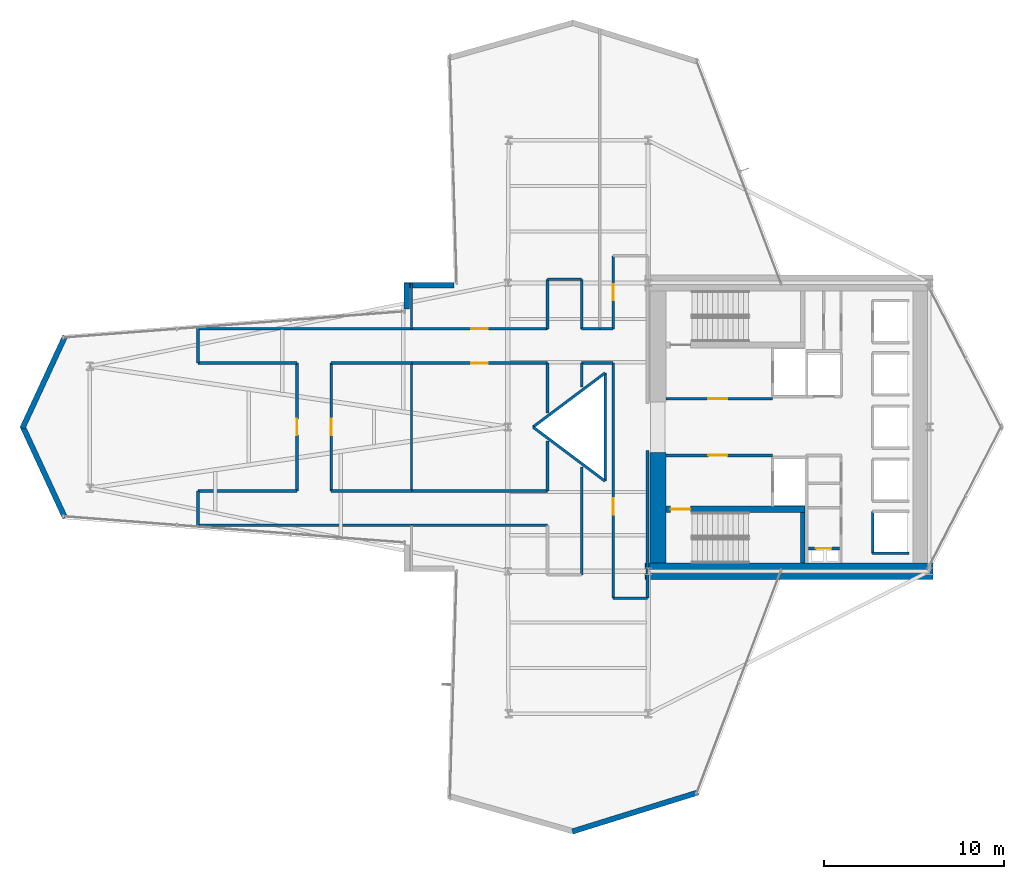
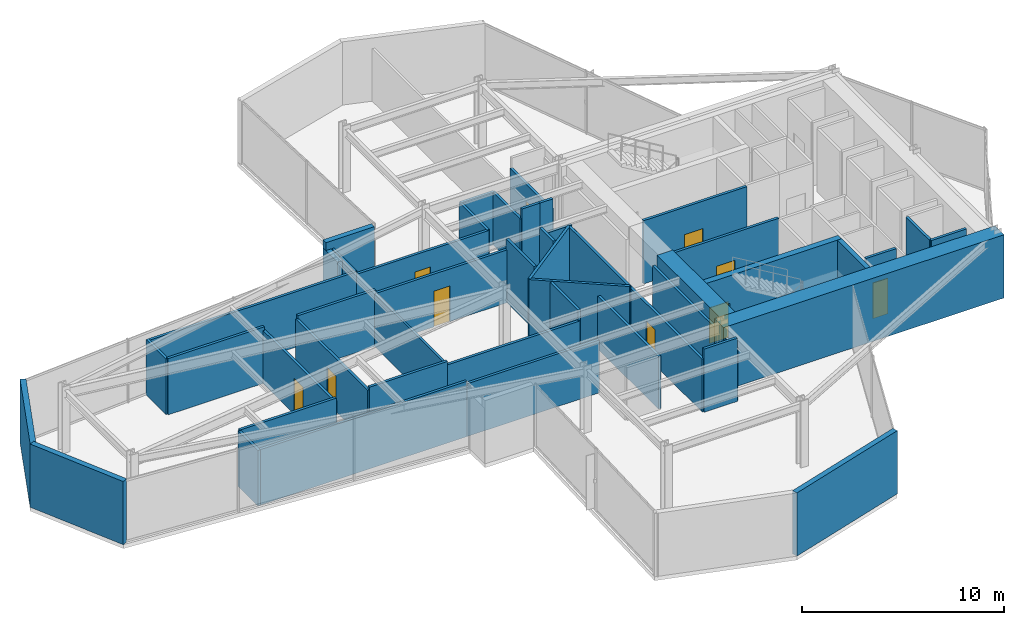
# One storey, part 26 of 29: 47 walls, 10 doors, 10 openings.
"""IFC4 building model written with IfcOpenShell, lengths in metres."""

import ifcopenshell
import ifcopenshell.guid

model = None  # the IFC model being written
_history = None  # IfcOwnerHistory: only IFC2X3 demands one
_inside = {}  # id of a spatial element -> (the spatial element, [elements in it])
_under = {}  # id of a project, library or spatial element -> (it, [spatial elements below it])
_declared = {}  # id of a project -> (the project, [libraries it declares])
_typed = {}  # id of a type object -> (the type object, [elements of that type])
_made_of = {}  # id of a material, layer set ... -> (it, [elements and type objects made of it])


def new_model(schema):
    """Start an empty IFC model of exactly this schema.

    Asked for "IFC4X3", IfcOpenShell would pick the latest addendum, in which some entities
    have other attributes; the version numbers below select the first issue.
    IFC2X3 requires an IfcOwnerHistory on every rooted entity: one is made here for all.
    """
    global model, _history
    if schema == "IFC4X3":
        model = ifcopenshell.file(schema_version=(4, 3, 0, 0))
    else:
        model = ifcopenshell.file(schema=schema)
    _inside.clear()
    _under.clear()
    _declared.clear()
    _typed.clear()
    _made_of.clear()
    _history = None
    if model.schema == "IFC2X3":
        org = make("IfcOrganization", Name="unknown")
        user = make(
            "IfcPersonAndOrganization",
            ThePerson=make("IfcPerson", FamilyName="unknown"),
            TheOrganization=org,
        )
        app = make(
            "IfcApplication",
            ApplicationDeveloper=org,
            Version="unknown",
            ApplicationFullName="unknown",
            ApplicationIdentifier="unknown",
        )
        _history = make(
            "IfcOwnerHistory",
            OwningUser=user,
            OwningApplication=app,
            ChangeAction="ADDED",
            CreationDate=0,
        )
    return model


def make(cls, **values):
    """One entity of the class cls with the attributes given. An attribute that is None is left unset."""
    return model.create_entity(
        cls, **{name: value for name, value in values.items() if value is not None}
    )


def rooted(cls, **values):
    """An entity with a GlobalId (a new one), such as an element, a storey or a relation."""
    return make(cls, GlobalId=ifcopenshell.guid.new(), OwnerHistory=_history, **values)


def si_unit(unit_type, name, prefix=None):
    """IfcSIUnit, for example si_unit("LENGTHUNIT", "METRE", prefix="MILLI")."""
    return make("IfcSIUnit", UnitType=unit_type, Prefix=prefix, Name=name)


def assignment(units):
    """IfcUnitAssignment: the units of a project."""
    return None if units is None else make("IfcUnitAssignment", Units=units)


def point(xyz):
    """IfcCartesianPoint."""
    return None if xyz is None else make("IfcCartesianPoint", Coordinates=xyz)


def direction(xyz):
    """IfcDirection."""
    return None if xyz is None else make("IfcDirection", DirectionRatios=xyz)


def frame(location, z_axis=None, x_axis=None):
    """IfcAxis2Placement3D, a coordinate frame: its origin and axes. An axis left out is left unset."""
    return make(
        "IfcAxis2Placement3D",
        Location=point(location),
        Axis=direction(z_axis),
        RefDirection=direction(x_axis),
    )


def frame_2d(location, x_axis=None):
    """IfcAxis2Placement2D, a coordinate frame in the plane: its origin and x axis."""
    return make(
        "IfcAxis2Placement2D", Location=point(location), RefDirection=direction(x_axis)
    )


def origin():
    """The frame at (0, 0, 0) with its axes left unset."""
    return frame((0.0, 0.0, 0.0))


def place(relative_to, where):
    """IfcLocalPlacement: puts the frame where relative to a parent placement (None: the world)."""
    return make(
        "IfcLocalPlacement", PlacementRelTo=relative_to, RelativePlacement=where
    )


def context(
    kind, dimensions, precision=None, world=None, true_north=None, identifier=None
):
    """IfcGeometricRepresentationContext, for example the 3D "Model" context."""
    return make(
        "IfcGeometricRepresentationContext",
        ContextIdentifier=identifier,
        ContextType=kind,
        CoordinateSpaceDimension=dimensions,
        Precision=precision,
        WorldCoordinateSystem=world,
        TrueNorth=true_north,
    )


def subcontext(parent, identifier, kind, view, scale=None):
    """IfcGeometricRepresentationSubContext, for example "Body" below "Model"."""
    return make(
        "IfcGeometricRepresentationSubContext",
        ContextIdentifier=identifier,
        ContextType=kind,
        ParentContext=parent,
        TargetScale=scale,
        TargetView=view,
    )


def project(units=None, contexts=None):
    """IfcProject with its units and contexts."""
    return rooted(
        "IfcProject",
        Name="project",
        RepresentationContexts=contexts,
        UnitsInContext=assignment(units),
    )


def spatial(cls, under=None, at=None, **own):
    """A site, building, storey or space (cls), placed at a placement, below another one or the project."""
    s = rooted(cls, ObjectPlacement=at, **own)
    if under is not None:
        _under.setdefault(under.id(), (under, []))[1].append(s)
    return s


def profile(cls, at=None, kind="AREA", **sizes):
    """A parametric profile (cls). Its sizes go by their IFC names, for example OverallWidth=200.0."""
    return make(cls, ProfileType=kind, Position=at, **sizes)


def rectangle(**sizes):
    """IfcRectangleProfileDef."""
    return profile("IfcRectangleProfileDef", **sizes)


def extrude(swept, where, along, depth):
    """IfcExtrudedAreaSolid: the profile swept, set in the frame where, extruded along a direction by depth."""
    return make(
        "IfcExtrudedAreaSolid",
        SweptArea=swept,
        Position=where,
        ExtrudedDirection=direction(along),
        Depth=depth,
    )


def shape(context_of_items, identifier, shape_type, items):
    """IfcShapeRepresentation: the items that make up one representation, for example the "Body"."""
    return make(
        "IfcShapeRepresentation",
        ContextOfItems=context_of_items,
        RepresentationIdentifier=identifier,
        RepresentationType=shape_type,
        Items=items,
    )


def material(Name=None, Category=None):
    """IfcMaterial."""
    return make("IfcMaterial", Name=Name, Category=Category)


def layer(
    of_material, thickness, ventilated=None, Name=None, Category=None, Priority=None
):
    """IfcMaterialLayer: one layer of a wall or slab, of a material (None: an air gap)."""
    return make(
        "IfcMaterialLayer",
        Material=of_material,
        LayerThickness=thickness,
        IsVentilated=ventilated,
        Name=Name,
        Category=Category,
        Priority=Priority,
    )


def layer_set(layers, Name=None):
    """IfcMaterialLayerSet."""
    return make("IfcMaterialLayerSet", MaterialLayers=layers, LayerSetName=Name)


def made_of(thing, what):
    """Note that an element or type object is made of a material, layer set ...; save() writes the relation."""
    if what is not None:
        _made_of.setdefault(what.id(), (what, []))[1].append(thing)
    return thing


def type_object(cls, material=None, **own):
    """A type object (cls), such as IfcWallType, which elements share."""
    return made_of(rooted(cls, **own), material)


def element(
    cls,
    number,
    at=None,
    inside=None,
    cuts=None,
    type_object=None,
    material=None,
    context=None,
    identifier="Body",
    shape_type=None,
    held_by="IfcProductDefinitionShape",
    body=None,
    shapes=None,
    **own,
):
    """One element of the class cls, such as IfcWall. Its Tag is "e" and its number.

    at: its placement. inside: the storey or other place that contains it. cuts: it is an
    opening in that element (IfcRelVoidsElement). A single representation is given by context,
    identifier, shape_type and body (its items); several are given by shapes. held_by: the class
    of the entity that holds the representations. save() writes the other relations.
    """
    e = rooted(cls, Tag="e%d" % number, ObjectPlacement=at, **own)
    if body is not None:
        shapes = [shape(context, identifier, shape_type, body)]
    if shapes is not None:
        e.Representation = make(held_by, Representations=shapes)
    if inside is not None:
        _inside.setdefault(inside.id(), (inside, []))[1].append(e)
    if cuts is not None:
        rooted(
            "IfcRelVoidsElement", RelatingBuildingElement=cuts, RelatedOpeningElement=e
        )
    if type_object is not None:
        _typed.setdefault(type_object.id(), (type_object, []))[1].append(e)
    return made_of(e, material)


def fill(opening, filler):
    """IfcRelFillsElement: the door or window that sits in an opening."""
    return rooted(
        "IfcRelFillsElement",
        RelatingOpeningElement=opening,
        RelatedBuildingElement=filler,
    )


def aggregate(whole, parts):
    """IfcRelAggregates: a whole, such as a stair, and the parts it consists of."""
    return rooted("IfcRelAggregates", RelatingObject=whole, RelatedObjects=parts)


def save(model, path):
    """Write the relations noted so far, then the file.

    IfcRelAggregates (storeys below a building ...), IfcRelContainedInSpatialStructure (elements
    in a storey), IfcRelDefinesByType, IfcRelAssociatesMaterial and IfcRelDeclares: one each for
    every whole, place, type object, material and project.
    """
    for whole, parts in _under.values():
        aggregate(whole, parts)
    for where, things in _inside.values():
        rooted(
            "IfcRelContainedInSpatialStructure",
            RelatedElements=things,
            RelatingStructure=where,
        )
    for kind, things in _typed.values():
        rooted("IfcRelDefinesByType", RelatedObjects=things, RelatingType=kind)
    for what, things in _made_of.values():
        rooted("IfcRelAssociatesMaterial", RelatedObjects=things, RelatingMaterial=what)
    for by, libraries in _declared.values():
        rooted("IfcRelDeclares", RelatingContext=by, RelatedDefinitions=libraries)
    model.write(path)


model = new_model("IFC4")

# Units and contexts
model_context = context("Model", 3, precision=1e-05, world=origin(), true_north=direction((0.0, 1.0)))
body_context = subcontext(model_context, "Body", "Model", "MODEL_VIEW")
ifc_project = project(units=[si_unit("LENGTHUNIT", "METRE"), si_unit("AREAUNIT", "SQUARE_METRE"), si_unit("VOLUMEUNIT", "CUBIC_METRE"), si_unit("PLANEANGLEUNIT", "RADIAN"), si_unit("MASSUNIT", "GRAM", prefix="KILO")], contexts=[model_context])

# Site, building, storey
site_placement = place(None, origin())
site = spatial("IfcSite", under=ifc_project, at=site_placement, CompositionType="ELEMENT")
building_placement = place(site_placement, origin())
building = spatial("IfcBuilding", under=site, at=building_placement, Name="Veymaron Broadcast Tower", CompositionType="ELEMENT")
storey_placement = place(building_placement, frame((0.0, 0.0, 41.85009765625)))
storey = spatial("IfcBuildingStorey", under=building, at=storey_placement, Name="L08", CompositionType="ELEMENT", Elevation=41.85009765625)

# Walls
ifc_material_1 = material(Name="Precast concrete C40/50 with mineral-wool insulation", Category="concrete")
ifc_layer_1 = layer(ifc_material_1, 0.300048828125)
ifc_layer_set_1 = layer_set([ifc_layer_1], Name="Precast concrete C40/50 with mineral-wool insulation")
wall_type_1 = type_object("IfcWallType", Name="WALL-EXT-300", PredefinedType="STANDARD", material=ifc_layer_set_1)
wall_1_placement = place(storey_placement, frame((28.22412109375, 31.860107421875, 0.0), z_axis=(0.0, 0.0, 1.0), x_axis=(-1.0, 0.0, 0.0)))
element("IfcWall", 1, at=wall_1_placement, inside=storey, type_object=wall_type_1, Name="L08 notched corner facade pier 9-1", PredefinedType="STANDARD", context=body_context, shape_type="SweptSolid", body=[
    extrude(rectangle(XDim=2.776123046875, YDim=0.300048828125, at=frame_2d((1.38818359375, 0.0))), origin(), (0.0, 0.0, 1.0), 3.809814453125),
])
wall_2_placement = place(storey_placement, frame((25.587890625, 32.0, 0.0), z_axis=(0.0, 0.0, 1.0), x_axis=(0.0, -1.0, 0.0)))
element("IfcWall", 2, at=wall_2_placement, inside=storey, type_object=wall_type_1, Name="L08 notched corner facade pier 10-1", PredefinedType="STANDARD", context=body_context, shape_type="SweptSolid", body=[
    extrude(rectangle(XDim=1.4482421875, YDim=0.300048828125, at=frame_2d((0.72412109375, 0.0))), origin(), (0.0, 0.0, 1.0), 3.337890625),
])
for number, where, z_axis, x_axis, name in (
    (3, (6.626953125, 29.037109375, 0.0), (0.0, 0.0, 1.0), (-0.420823983626, -0.907142312322, 0.0), "L08 notched corner facade pier 12-1"),
    (4, (4.262939453125, 24.058837890625, 0.0), (0.0, 0.0, 1.0), (0.420823983626, -0.907142312322, 0.0), "L08 notched corner facade pier 13-1"),
):
    element("IfcWall", number, at=place(storey_placement, frame(where, z_axis=z_axis, x_axis=x_axis)), inside=storey, type_object=wall_type_1, Name=name, PredefinedType="STANDARD", context=body_context, shape_type="SweptSolid", body=[
        extrude(rectangle(XDim=5.61767578125, YDim=0.300048828125, at=frame_2d((2.808837890625, 0.0))), origin(), (0.0, 0.0, 1.0), 3.809814453125),
    ])
wall_3_placement = place(storey_placement, frame((34.779541015625, 1.552734375, 0.0), z_axis=(0.0, 0.0, 1.0), x_axis=(0.954957033511, 0.296744105498, 0.0)))
element("IfcWall", 5, at=wall_3_placement, inside=storey, type_object=wall_type_1, Name="L08 notched corner facade pier 19-1", PredefinedType="STANDARD", context=body_context, shape_type="SweptSolid", body=[
    extrude(rectangle(XDim=7.302490234375, YDim=0.300048828125, at=frame_2d((3.6513671875, 0.0))), origin(), (0.0, 0.0, 1.0), 3.809814453125),
])

# Wall, opening, door
ifc_material_2 = material(Name="Gypsum fireboard and steel stud framing", Category="steel")
ifc_layer_2 = layer(ifc_material_2, 0.14990234375)
ifc_layer_set_2 = layer_set([ifc_layer_2], Name="Gypsum fireboard and steel stud framing")
wall_type_2 = type_object("IfcWallType", Name="WALL-FIRE-150", PredefinedType="PARTITIONING", material=ifc_layer_set_2)
wall_4_placement = place(storey_placement, frame((39.97998046875, 25.574951171875, 0.0), z_axis=(0.0, 0.0, 1.0), x_axis=(1.0, 0.0, 0.0)))
wall_4 = element("IfcWall", 6, at=wall_4_placement, inside=storey, type_object=wall_type_2, Name="L08 partition IW-L08-FFLN-S", PredefinedType="PARTITIONING", context=body_context, shape_type="SweptSolid", body=[
    extrude(rectangle(XDim=5.89990234375, YDim=0.14990234375, at=frame_2d((2.949951171875, 0.0))), origin(), (0.0, 0.0, 1.0), 3.809814453125),
])
opening_1_placement = place(wall_4_placement, frame((2.35009765625, 0.0, 0.0)))
opening_1 = element("IfcOpeningElement", 7, at=opening_1_placement, cuts=wall_4, Name="Opening ID-FL1", PredefinedType="OPENING", context=body_context, shape_type="SweptSolid", body=[
    extrude(rectangle(XDim=1.050048828125, YDim=2.14990234375, at=frame_2d((0.52490234375, 1.074951171875))), frame((0.0, 0.0849609375, 0.0), z_axis=(0.0, -1.0, 0.0), x_axis=(1.0, 0.0, 0.0)), (0.0, 0.0, 1.0), 0.169921875),
])
ifc_material_3 = material(Name="Fire-rated painted hollow steel ASTM A653", Category="steel")
door_type_1 = type_object("IfcDoorType", Name="DOOR-FIRE-1050", OperationType="NOTDEFINED", PredefinedType="DOOR", material=ifc_material_3)
door_1_placement = place(opening_1_placement, origin())
door_1 = element("IfcDoor", 8, at=door_1_placement, inside=storey, type_object=door_type_1, Name="L08 door DR-L08-FFLN", OperationType="SINGLE_SWING_LEFT", OverallHeight=2.14990234375, OverallWidth=1.050048828125, PredefinedType="DOOR", context=body_context, shape_type="SweptSolid", body=[
    extrude(rectangle(XDim=1.050048828125, YDim=2.14990234375, at=frame_2d((0.52490234375, 1.074951171875))), frame((0.0, 0.02490234375, 0.0), z_axis=(0.0, -1.0, 0.0), x_axis=(1.0, 0.0, 0.0)), (0.0, 0.0, 1.0), 0.050048828125),
])
fill(opening_1, door_1)

wall_5_placement = place(storey_placement, frame((39.97998046875, 22.425048828125, 0.0), z_axis=(0.0, 0.0, 1.0), x_axis=(1.0, 0.0, 0.0)))
wall_5 = element("IfcWall", 9, at=wall_5_placement, inside=storey, type_object=wall_type_2, Name="L08 partition IW-L08-FFLS-N", PredefinedType="PARTITIONING", context=body_context, shape_type="SweptSolid", body=[
    extrude(rectangle(XDim=5.89990234375, YDim=0.14990234375, at=frame_2d((2.949951171875, 0.0))), origin(), (0.0, 0.0, 1.0), 3.809814453125),
])
opening_2_placement = place(wall_5_placement, frame((2.35009765625, 0.0, 0.0)))
opening_2 = element("IfcOpeningElement", 10, at=opening_2_placement, cuts=wall_5, Name="Opening ID-FL1", PredefinedType="OPENING", context=body_context, shape_type="SweptSolid", body=[
    extrude(rectangle(XDim=1.050048828125, YDim=2.14990234375, at=frame_2d((0.52490234375, 1.074951171875))), frame((0.0, 0.0849609375, 0.0), z_axis=(0.0, -1.0, 0.0), x_axis=(1.0, 0.0, 0.0)), (0.0, 0.0, 1.0), 0.169921875),
])
door_2_placement = place(opening_2_placement, frame((1.050048828125, 0.0, 0.0), z_axis=(0.0, 0.0, 1.0), x_axis=(-1.0, 0.0, 0.0)))
door_2 = element("IfcDoor", 11, at=door_2_placement, inside=storey, type_object=door_type_1, Name="L08 door DR-L08-FFLS", OperationType="SINGLE_SWING_RIGHT", OverallHeight=2.14990234375, OverallWidth=1.050048828125, PredefinedType="DOOR", context=body_context, shape_type="SweptSolid", body=[
    extrude(rectangle(XDim=1.050048828125, YDim=2.14990234375, at=frame_2d((0.52490234375, 1.074951171875))), frame((0.0, 0.02490234375, 0.0), z_axis=(0.0, -1.0, 0.0), x_axis=(1.0, 0.0, 0.0)), (0.0, 0.0, 1.0), 0.050048828125),
])
fill(opening_2, door_2)

# Walls
wall_6_placement = place(storey_placement, frame((51.445068359375, 16.989990234375, 0.0), z_axis=(0.0, 0.0, 1.0), x_axis=(0.0, 1.0, 0.0)))
element("IfcWall", 12, at=wall_6_placement, inside=storey, type_object=wall_type_2, Name="L08 partition IW-L08-SHW-PH1", PredefinedType="PARTITIONING", context=body_context, shape_type="SweptSolid", body=[
    extrude(rectangle(XDim=2.320068359375, YDim=0.14990234375, at=frame_2d((1.16015625, 0.0))), origin(), (0.0, 0.0, 1.0), 3.809814453125),
])
wall_7_placement = place(storey_placement, frame((51.445068359375, 16.989990234375, 0.0), z_axis=(0.0, 0.0, 1.0), x_axis=(1.0, 0.0, 0.0)))
element("IfcWall", 13, at=wall_7_placement, inside=storey, type_object=wall_type_2, Name="L08 partition IW-L08-SHS-PH1", PredefinedType="PARTITIONING", context=body_context, shape_type="SweptSolid", body=[
    extrude(rectangle(XDim=2.014892578125, YDim=0.14990234375, at=frame_2d((1.00732421875, 0.0))), origin(), (0.0, 0.0, 1.0), 3.809814453125),
])

# Wall, opening, door
wall_8_placement = place(storey_placement, frame((47.8798828125, 17.260009765625, 0.0), z_axis=(0.0, 0.0, 1.0), x_axis=(1.0, 0.0, 0.0)))
wall_8 = element("IfcWall", 14, at=wall_8_placement, inside=storey, type_object=wall_type_2, Name="L08 partition IW-L08-RIS-N", PredefinedType="PARTITIONING", context=body_context, shape_type="SweptSolid", body=[
    extrude(rectangle(XDim=1.72021484375, YDim=0.14990234375, at=frame_2d((0.860107421875, 0.0))), origin(), (0.0, 0.0, 1.0), 3.809814453125),
])
opening_3_placement = place(wall_8_placement, frame((0.419921875, 0.0, 0.0)))
opening_3 = element("IfcOpeningElement", 15, at=opening_3_placement, cuts=wall_8, Name="Opening ID-RS1", PredefinedType="OPENING", context=body_context, shape_type="SweptSolid", body=[
    extrude(rectangle(XDim=0.85009765625, YDim=2.14990234375, at=frame_2d((0.425048828125, 1.074951171875))), frame((0.0, 0.0849609375, 0.0), z_axis=(0.0, -1.0, 0.0), x_axis=(1.0, 0.0, 0.0)), (0.0, 0.0, 1.0), 0.169921875),
])
ifc_material_4 = material(Name="Fire-rated powder-coated steel riser leaf", Category="steel")
door_type_2 = type_object("IfcDoorType", Name="DOOR-RIS-850", OperationType="NOTDEFINED", PredefinedType="TRAPDOOR", material=ifc_material_4)
door_3_placement = place(opening_3_placement, origin())
door_3 = element("IfcDoor", 16, at=door_3_placement, inside=storey, type_object=door_type_2, Name="L08 door DR-L08-RIS", OperationType="SINGLE_SWING_LEFT", OverallHeight=2.14990234375, OverallWidth=0.85009765625, PredefinedType="TRAPDOOR", context=body_context, shape_type="SweptSolid", body=[
    extrude(rectangle(XDim=0.85009765625, YDim=2.14990234375, at=frame_2d((0.425048828125, 1.074951171875))), frame((0.0, 0.02490234375, 0.0), z_axis=(0.0, -1.0, 0.0), x_axis=(1.0, 0.0, 0.0)), (0.0, 0.0, 1.0), 0.050048828125),
])
fill(opening_3, door_3)

wall_9_placement = place(storey_placement, frame((37.050048828125, 14.5, 0.0), z_axis=(0.0, 0.0, 1.0), x_axis=(0.0, 1.0, 0.0)))
wall_9 = element("IfcWall", 17, at=wall_9_placement, inside=storey, type_object=wall_type_2, Name="L08 partition IW-L08-P01", PredefinedType="PARTITIONING", context=body_context, shape_type="SweptSolid", body=[
    extrude(rectangle(XDim=13.050048828125, YDim=0.14990234375, at=frame_2d((6.52490234375, 0.0))), origin(), (0.0, 0.0, 1.0), 3.180908203125),
])
opening_4_placement = place(wall_9_placement, frame((4.635009765625, 0.0, 0.0)))
opening_4 = element("IfcOpeningElement", 18, at=opening_4_placement, cuts=wall_9, Name="Opening ID-RM2", PredefinedType="OPENING", context=body_context, shape_type="SweptSolid", body=[
    extrude(rectangle(XDim=0.89990234375, YDim=2.14990234375, at=frame_2d((0.449951171875, 1.074951171875))), frame((0.0, 0.0849609375, 0.0), z_axis=(0.0, -1.0, 0.0), x_axis=(1.0, 0.0, 0.0)), (0.0, 0.0, 1.0), 0.169921875),
])
ifc_material_5 = material(Name="Acoustic solid-core European oak veneer timber", Category="wood")
door_type_3 = type_object("IfcDoorType", Name="DOOR-INT-900", OperationType="NOTDEFINED", PredefinedType="DOOR", material=ifc_material_5)
door_4_placement = place(opening_4_placement, frame((0.89990234375, 0.0, 0.0), z_axis=(0.0, 0.0, 1.0), x_axis=(-1.0, 0.0, 0.0)))
door_4 = element("IfcDoor", 19, at=door_4_placement, inside=storey, type_object=door_type_3, Name="L08 door DR-L08-P01", OperationType="SINGLE_SWING_RIGHT", OverallHeight=2.14990234375, OverallWidth=0.89990234375, PredefinedType="DOOR", context=body_context, shape_type="SweptSolid", body=[
    extrude(rectangle(XDim=0.89990234375, YDim=2.14990234375, at=frame_2d((0.449951171875, 1.074951171875))), frame((0.0, 0.02490234375, 0.0), z_axis=(0.0, -1.0, 0.0), x_axis=(1.0, 0.0, 0.0)), (0.0, 0.0, 1.0), 0.050048828125),
])
fill(opening_4, door_4)

wall_10_placement = place(storey_placement, frame((19.5, 20.449951171875, 0.0), z_axis=(0.0, 0.0, 1.0), x_axis=(0.0, 1.0, 0.0)))
wall_10 = element("IfcWall", 20, at=wall_10_placement, inside=storey, type_object=wall_type_2, Name="L08 partition IW-L08-P12", PredefinedType="PARTITIONING", context=body_context, shape_type="SweptSolid", body=[
    extrude(rectangle(XDim=7.10009765625, YDim=0.14990234375, at=frame_2d((3.550048828125, 0.0))), origin(), (0.0, 0.0, 1.0), 3.180908203125),
])
opening_5_placement = place(wall_10_placement, frame((3.10009765625, 0.0, 0.0)))
opening_5 = element("IfcOpeningElement", 21, at=opening_5_placement, cuts=wall_10, Name="Opening ID-RM2", PredefinedType="OPENING", context=body_context, shape_type="SweptSolid", body=[
    extrude(rectangle(XDim=0.89990234375, YDim=2.14990234375, at=frame_2d((0.449951171875, 1.074951171875))), frame((0.0, 0.0849609375, 0.0), z_axis=(0.0, -1.0, 0.0), x_axis=(1.0, 0.0, 0.0)), (0.0, 0.0, 1.0), 0.169921875),
])
door_5_placement = place(opening_5_placement, origin())
door_5 = element("IfcDoor", 22, at=door_5_placement, inside=storey, type_object=door_type_3, Name="L08 door DR-L08-P12", OperationType="SINGLE_SWING_LEFT", OverallHeight=2.14990234375, OverallWidth=0.89990234375, PredefinedType="DOOR", context=body_context, shape_type="SweptSolid", body=[
    extrude(rectangle(XDim=0.89990234375, YDim=2.14990234375, at=frame_2d((0.449951171875, 1.074951171875))), frame((0.0, 0.02490234375, 0.0), z_axis=(0.0, -1.0, 0.0), x_axis=(1.0, 0.0, 0.0)), (0.0, 0.0, 1.0), 0.050048828125),
])
fill(opening_5, door_5)

wall_11_placement = place(storey_placement, frame((21.39990234375, 20.449951171875, 0.0), z_axis=(0.0, 0.0, 1.0), x_axis=(0.0, 1.0, 0.0)))
wall_11 = element("IfcWall", 23, at=wall_11_placement, inside=storey, type_object=wall_type_2, Name="L08 partition IW-L08-P17", PredefinedType="PARTITIONING", context=body_context, shape_type="SweptSolid", body=[
    extrude(rectangle(XDim=7.10009765625, YDim=0.14990234375, at=frame_2d((3.550048828125, 0.0))), origin(), (0.0, 0.0, 1.0), 3.180908203125),
])
opening_6_placement = place(wall_11_placement, frame((3.10009765625, 0.0, 0.0)))
opening_6 = element("IfcOpeningElement", 24, at=opening_6_placement, cuts=wall_11, Name="Opening ID-RM2", PredefinedType="OPENING", context=body_context, shape_type="SweptSolid", body=[
    extrude(rectangle(XDim=0.89990234375, YDim=2.14990234375, at=frame_2d((0.449951171875, 1.074951171875))), frame((0.0, 0.0849609375, 0.0), z_axis=(0.0, -1.0, 0.0), x_axis=(1.0, 0.0, 0.0)), (0.0, 0.0, 1.0), 0.169921875),
])
door_6_placement = place(opening_6_placement, frame((0.89990234375, 0.0, 0.0), z_axis=(0.0, 0.0, 1.0), x_axis=(-1.0, 0.0, 0.0)))
door_6 = element("IfcDoor", 25, at=door_6_placement, inside=storey, type_object=door_type_3, Name="L08 door DR-L08-P17", OperationType="SINGLE_SWING_RIGHT", OverallHeight=2.14990234375, OverallWidth=0.89990234375, PredefinedType="DOOR", context=body_context, shape_type="SweptSolid", body=[
    extrude(rectangle(XDim=0.89990234375, YDim=2.14990234375, at=frame_2d((0.449951171875, 1.074951171875))), frame((0.0, 0.02490234375, 0.0), z_axis=(0.0, -1.0, 0.0), x_axis=(1.0, 0.0, 0.0)), (0.0, 0.0, 1.0), 0.050048828125),
])
fill(opening_6, door_6)

wall_12_placement = place(storey_placement, frame((25.84912109375, 27.550048828125, 0.0), z_axis=(0.0, 0.0, 1.0), x_axis=(1.0, 0.0, 0.0)))
wall_12 = element("IfcWall", 26, at=wall_12_placement, inside=storey, type_object=wall_type_2, Name="L08 partition IW-L08-P20", PredefinedType="PARTITIONING", context=body_context, shape_type="SweptSolid", body=[
    extrude(rectangle(XDim=7.55078125, YDim=0.14990234375, at=frame_2d((3.775390625, 0.0))), origin(), (0.0, 0.0, 1.0), 3.180908203125),
])
opening_7_placement = place(wall_12_placement, frame((3.325439453125, 0.0, 0.0)))
opening_7 = element("IfcOpeningElement", 27, at=opening_7_placement, cuts=wall_12, Name="Opening ID-RM2", PredefinedType="OPENING", context=body_context, shape_type="SweptSolid", body=[
    extrude(rectangle(XDim=0.89990234375, YDim=2.14990234375, at=frame_2d((0.449951171875, 1.074951171875))), frame((0.0, 0.0849609375, 0.0), z_axis=(0.0, -1.0, 0.0), x_axis=(1.0, 0.0, 0.0)), (0.0, 0.0, 1.0), 0.169921875),
])
door_7_placement = place(opening_7_placement, frame((0.89990234375, 0.0, 0.0), z_axis=(0.0, 0.0, 1.0), x_axis=(-1.0, 0.0, 0.0)))
door_7 = element("IfcDoor", 28, at=door_7_placement, inside=storey, type_object=door_type_3, Name="L08 door DR-L08-P20", OperationType="SINGLE_SWING_LEFT", OverallHeight=2.14990234375, OverallWidth=0.89990234375, PredefinedType="DOOR", context=body_context, shape_type="SweptSolid", body=[
    extrude(rectangle(XDim=0.89990234375, YDim=2.14990234375, at=frame_2d((0.449951171875, 1.074951171875))), frame((0.0, 0.02490234375, 0.0), z_axis=(0.0, -1.0, 0.0), x_axis=(1.0, 0.0, 0.0)), (0.0, 0.0, 1.0), 0.050048828125),
])
fill(opening_7, door_7)

wall_13_placement = place(storey_placement, frame((25.84912109375, 29.449951171875, 0.0), z_axis=(0.0, 0.0, 1.0), x_axis=(1.0, 0.0, 0.0)))
wall_13 = element("IfcWall", 29, at=wall_13_placement, inside=storey, type_object=wall_type_2, Name="L08 partition IW-L08-P24", PredefinedType="PARTITIONING", context=body_context, shape_type="SweptSolid", body=[
    extrude(rectangle(XDim=7.55078125, YDim=0.14990234375, at=frame_2d((3.775390625, 0.0))), origin(), (0.0, 0.0, 1.0), 3.180908203125),
])
opening_8_placement = place(wall_13_placement, frame((3.325439453125, 0.0, 0.0)))
opening_8 = element("IfcOpeningElement", 30, at=opening_8_placement, cuts=wall_13, Name="Opening ID-RM2", PredefinedType="OPENING", context=body_context, shape_type="SweptSolid", body=[
    extrude(rectangle(XDim=0.89990234375, YDim=2.14990234375, at=frame_2d((0.449951171875, 1.074951171875))), frame((0.0, 0.0849609375, 0.0), z_axis=(0.0, -1.0, 0.0), x_axis=(1.0, 0.0, 0.0)), (0.0, 0.0, 1.0), 0.169921875),
])
door_8_placement = place(opening_8_placement, origin())
door_8 = element("IfcDoor", 31, at=door_8_placement, inside=storey, type_object=door_type_3, Name="L08 door DR-L08-P24", OperationType="SINGLE_SWING_LEFT", OverallHeight=2.14990234375, OverallWidth=0.89990234375, PredefinedType="DOOR", context=body_context, shape_type="SweptSolid", body=[
    extrude(rectangle(XDim=0.89990234375, YDim=2.14990234375, at=frame_2d((0.449951171875, 1.074951171875))), frame((0.0, 0.02490234375, 0.0), z_axis=(0.0, -1.0, 0.0), x_axis=(1.0, 0.0, 0.0)), (0.0, 0.0, 1.0), 0.050048828125),
])
fill(opening_8, door_8)

wall_14_placement = place(storey_placement, frame((37.050048828125, 29.449951171875, 0.0), z_axis=(0.0, 0.0, 1.0), x_axis=(0.0, 1.0, 0.0)))
wall_14 = element("IfcWall", 32, at=wall_14_placement, inside=storey, type_object=wall_type_2, Name="L08 partition IW-L08-P30", PredefinedType="PARTITIONING", context=body_context, shape_type="SweptSolid", body=[
    extrude(rectangle(XDim=4.050048828125, YDim=0.14990234375, at=frame_2d((2.02490234375, 0.0))), origin(), (0.0, 0.0, 1.0), 3.180908203125),
])
opening_9_placement = place(wall_14_placement, frame((1.574951171875, 0.0, 0.0)))
opening_9 = element("IfcOpeningElement", 33, at=opening_9_placement, cuts=wall_14, Name="Opening ID-RM2", PredefinedType="OPENING", context=body_context, shape_type="SweptSolid", body=[
    extrude(rectangle(XDim=0.89990234375, YDim=2.14990234375, at=frame_2d((0.449951171875, 1.074951171875))), frame((0.0, 0.0849609375, 0.0), z_axis=(0.0, -1.0, 0.0), x_axis=(1.0, 0.0, 0.0)), (0.0, 0.0, 1.0), 0.169921875),
])
door_9_placement = place(opening_9_placement, origin())
door_9 = element("IfcDoor", 34, at=door_9_placement, inside=storey, type_object=door_type_3, Name="L08 door DR-L08-P30", OperationType="SINGLE_SWING_LEFT", OverallHeight=2.14990234375, OverallWidth=0.89990234375, PredefinedType="DOOR", context=body_context, shape_type="SweptSolid", body=[
    extrude(rectangle(XDim=0.89990234375, YDim=2.14990234375, at=frame_2d((0.449951171875, 1.074951171875))), frame((0.0, 0.02490234375, 0.0), z_axis=(0.0, -1.0, 0.0), x_axis=(1.0, 0.0, 0.0)), (0.0, 0.0, 1.0), 0.050048828125),
])
fill(opening_9, door_9)

# Walls
wall_15_placement = place(storey_placement, frame((38.949951171875, 14.5, 0.0), z_axis=(0.0, 0.0, 1.0), x_axis=(0.0, 1.0, 0.0)))
element("IfcWall", 35, at=wall_15_placement, inside=storey, type_object=wall_type_2, Name="L08 partition IW-L08-P02", PredefinedType="PARTITIONING", context=body_context, shape_type="SweptSolid", body=[
    extrude(rectangle(XDim=8.199951171875, YDim=0.14990234375, at=frame_2d((4.10009765625, 0.0))), origin(), (0.0, 0.0, 1.0), 3.180908203125),
])
wall_16_placement = place(storey_placement, frame((25.84912109375, 18.550048828125, 0.0), z_axis=(0.0, 0.0, 1.0), x_axis=(1.0, 0.0, 0.0)))
element("IfcWall", 36, at=wall_16_placement, inside=storey, type_object=wall_type_2, Name="L08 partition IW-L08-P03", PredefinedType="PARTITIONING", context=body_context, shape_type="SweptSolid", body=[
    extrude(rectangle(XDim=7.55078125, YDim=0.14990234375, at=frame_2d((3.775390625, 0.0))), origin(), (0.0, 0.0, 1.0), 3.180908203125),
])
wall_17_placement = place(storey_placement, frame((35.300048828125, 15.800048828125, 0.0), z_axis=(0.0, 0.0, 1.0), x_axis=(0.0, 1.0, 0.0)))
element("IfcWall", 37, at=wall_17_placement, inside=storey, type_object=wall_type_2, Name="L08 partition IW-L08-P04", PredefinedType="PARTITIONING", context=body_context, shape_type="SweptSolid", body=[
    extrude(rectangle(XDim=5.987548828125, YDim=0.14990234375, at=frame_2d((2.99365234375, 0.0))), origin(), (0.0, 0.0, 1.0), 3.180908203125),
])
wall_18_placement = place(storey_placement, frame((37.050048828125, 14.5, 0.0), z_axis=(0.0, 0.0, 1.0), x_axis=(1.0, 0.0, 0.0)))
element("IfcWall", 38, at=wall_18_placement, inside=storey, type_object=wall_type_2, Name="L08 partition IW-L08-P06", PredefinedType="PARTITIONING", context=body_context, shape_type="SweptSolid", body=[
    extrude(rectangle(XDim=1.89990234375, YDim=0.14990234375, at=frame_2d((0.949951171875, 0.0))), origin(), (0.0, 0.0, 1.0), 3.809814453125),
])
wall_19_placement = place(storey_placement, frame((35.300048828125, 27.550048828125, 0.0), z_axis=(0.0, 0.0, 1.0), x_axis=(1.0, 0.0, 0.0)))
element("IfcWall", 39, at=wall_19_placement, inside=storey, type_object=wall_type_2, Name="L08 partition IW-L08-P08", PredefinedType="PARTITIONING", context=body_context, shape_type="SweptSolid", body=[
    extrude(rectangle(XDim=1.75, YDim=0.14990234375, at=frame_2d((0.875, 0.0))), origin(), (0.0, 0.0, 1.0), 3.390869140625),
])
wall_20_placement = place(storey_placement, frame((35.300048828125, 26.21240234375, 0.0), z_axis=(0.0, 0.0, 1.0), x_axis=(0.0, 1.0, 0.0)))
element("IfcWall", 40, at=wall_20_placement, inside=storey, type_object=wall_type_2, Name="L08 partition IW-L08-P09", PredefinedType="PARTITIONING", context=body_context, shape_type="SweptSolid", body=[
    extrude(rectangle(XDim=1.337646484375, YDim=0.14990234375, at=frame_2d((0.6689453125, 0.0))), origin(), (0.0, 0.0, 1.0), 3.809814453125),
])
for number, where, z_axis, x_axis, name in (
    (41, (14.0, 18.550048828125, 0.0), (0.0, 0.0, 1.0), (1.0, 0.0, 0.0), "L08 partition IW-L08-P10"),
    (42, (14.0, 29.449951171875, 0.0), (0.0, 0.0, 1.0), (1.0, 0.0, 0.0), "L08 partition IW-L08-P11"),
):
    element("IfcWall", number, at=place(storey_placement, frame(where, z_axis=z_axis, x_axis=x_axis)), inside=storey, type_object=wall_type_2, Name=name, PredefinedType="PARTITIONING", context=body_context, shape_type="SweptSolid", body=[
        extrude(rectangle(XDim=11.84912109375, YDim=0.14990234375, at=frame_2d((5.924560546875, 0.0))), origin(), (0.0, 0.0, 1.0), 3.337890625),
    ])
for number, where, z_axis, x_axis, name in (
    (43, (14.0, 20.449951171875, 0.0), (0.0, 0.0, 1.0), (1.0, 0.0, 0.0), "L08 partition IW-L08-P13"),
    (44, (14.0, 27.550048828125, 0.0), (0.0, 0.0, 1.0), (1.0, 0.0, 0.0), "L08 partition IW-L08-P14"),
):
    element("IfcWall", number, at=place(storey_placement, frame(where, z_axis=z_axis, x_axis=x_axis)), inside=storey, type_object=wall_type_2, Name=name, PredefinedType="PARTITIONING", context=body_context, shape_type="SweptSolid", body=[
        extrude(rectangle(XDim=5.5, YDim=0.14990234375, at=frame_2d((2.75, 0.0))), origin(), (0.0, 0.0, 1.0), 3.390869140625),
    ])
for number, where, z_axis, x_axis, name in (
    (45, (14.0, 18.4677734375, 0.0), (0.0, 0.0, 1.0), (0.0, 1.0, 0.0), "L08 partition IW-L08-P15"),
    (46, (14.0, 27.550048828125, 0.0), (0.0, 0.0, 1.0), (0.0, 1.0, 0.0), "L08 partition IW-L08-P16"),
):
    element("IfcWall", number, at=place(storey_placement, frame(where, z_axis=z_axis, x_axis=x_axis)), inside=storey, type_object=wall_type_2, Name=name, PredefinedType="PARTITIONING", context=body_context, shape_type="SweptSolid", body=[
        extrude(rectangle(XDim=1.982177734375, YDim=0.14990234375, at=frame_2d((0.9912109375, 0.0))), origin(), (0.0, 0.0, 1.0), 3.337890625),
    ])
for number, where, z_axis, x_axis, name in (
    (47, (21.39990234375, 27.550048828125, 0.0), (0.0, 0.0, 1.0), (1.0, 0.0, 0.0), "L08 partition IW-L08-P18"),
    (48, (21.39990234375, 20.449951171875, 0.0), (0.0, 0.0, 1.0), (1.0, 0.0, 0.0), "L08 partition IW-L08-P19"),
):
    element("IfcWall", number, at=place(storey_placement, frame(where, z_axis=z_axis, x_axis=x_axis)), inside=storey, type_object=wall_type_2, Name=name, PredefinedType="PARTITIONING", context=body_context, shape_type="SweptSolid", body=[
        extrude(rectangle(XDim=4.44921875, YDim=0.14990234375, at=frame_2d((2.224609375, 0.0))), origin(), (0.0, 0.0, 1.0), 3.390869140625),
    ])
wall_21_placement = place(storey_placement, frame((25.84912109375, 20.449951171875, 0.0), z_axis=(0.0, 0.0, 1.0), x_axis=(1.0, 0.0, 0.0)))
element("IfcWall", 49, at=wall_21_placement, inside=storey, type_object=wall_type_2, Name="L08 partition IW-L08-P21", PredefinedType="PARTITIONING", context=body_context, shape_type="SweptSolid", body=[
    extrude(rectangle(XDim=7.55078125, YDim=0.14990234375, at=frame_2d((3.775390625, 0.0))), origin(), (0.0, 0.0, 1.0), 3.180908203125),
])
for number, where, z_axis, x_axis, name in (
    (50, (33.39990234375, 24.78759765625, 0.0), (0.0, 0.0, 1.0), (0.0, 1.0, 0.0), "L08 partition IW-L08-P22"),
    (51, (33.39990234375, 20.449951171875, 0.0), (0.0, 0.0, 1.0), (0.0, 1.0, 0.0), "L08 partition IW-L08-P23"),
):
    element("IfcWall", number, at=place(storey_placement, frame(where, z_axis=z_axis, x_axis=x_axis)), inside=storey, type_object=wall_type_2, Name=name, PredefinedType="PARTITIONING", context=body_context, shape_type="SweptSolid", body=[
        extrude(rectangle(XDim=2.762451171875, YDim=0.14990234375, at=frame_2d((1.38134765625, 0.0))), origin(), (0.0, 0.0, 1.0), 3.809814453125),
    ])
for number, where, z_axis, x_axis, name in (
    (52, (33.39990234375, 29.449951171875, 0.0), (0.0, 0.0, 1.0), (0.0, 1.0, 0.0), "L08 partition IW-L08-P25"),
    (53, (35.300048828125, 29.449951171875, 0.0), (0.0, 0.0, 1.0), (0.0, 1.0, 0.0), "L08 partition IW-L08-P26"),
):
    element("IfcWall", number, at=place(storey_placement, frame(where, z_axis=z_axis, x_axis=x_axis)), inside=storey, type_object=wall_type_2, Name=name, PredefinedType="PARTITIONING", context=body_context, shape_type="SweptSolid", body=[
        extrude(rectangle(XDim=2.75, YDim=0.14990234375, at=frame_2d((1.375, 0.0))), origin(), (0.0, 0.0, 1.0), 3.180908203125),
    ])
wall_22_placement = place(storey_placement, frame((33.39990234375, 32.199951171875, 0.0), z_axis=(0.0, 0.0, 1.0), x_axis=(1.0, 0.0, 0.0)))
element("IfcWall", 54, at=wall_22_placement, inside=storey, type_object=wall_type_2, Name="L08 partition IW-L08-P27", PredefinedType="PARTITIONING", context=body_context, shape_type="SweptSolid", body=[
    extrude(rectangle(XDim=1.900146484375, YDim=0.14990234375, at=frame_2d((0.9501953125, 0.0))), origin(), (0.0, 0.0, 1.0), 3.180908203125),
])
wall_23_placement = place(storey_placement, frame((35.300048828125, 29.449951171875, 0.0), z_axis=(0.0, 0.0, 1.0), x_axis=(1.0, 0.0, 0.0)))
element("IfcWall", 55, at=wall_23_placement, inside=storey, type_object=wall_type_2, Name="L08 partition IW-L08-P28", PredefinedType="PARTITIONING", context=body_context, shape_type="SweptSolid", body=[
    extrude(rectangle(XDim=1.00390625, YDim=0.14990234375, at=frame_2d((0.501953125, 0.0))), origin(), (0.0, 0.0, 1.0), 3.809814453125),
])
wall_24_placement = place(storey_placement, frame((36.303955078125, 29.449951171875, 0.0), z_axis=(0.0, 0.0, 1.0), x_axis=(1.0, 0.0, 0.0)))
element("IfcWall", 56, at=wall_24_placement, inside=storey, type_object=wall_type_2, Name="L08 partition IW-L08-P32", PredefinedType="PARTITIONING", context=body_context, shape_type="SweptSolid", body=[
    extrude(rectangle(XDim=0.74609375, YDim=0.14990234375, at=frame_2d((0.373046875, 0.0))), origin(), (0.0, 0.0, 1.0), 3.809814453125),
])
ifc_material_6 = material(Name="Fire-rated laminated glass in aluminium frame", Category="aluminium")
ifc_layer_3 = layer(ifc_material_6, 0.14990234375)
ifc_layer_set_3 = layer_set([ifc_layer_3], Name="Fire-rated laminated glass in aluminium frame")
wall_type_3 = type_object("IfcWallType", Name="WALL-GLZ-150", PredefinedType="MOVABLE", material=ifc_layer_set_3)
wall_25_placement = place(storey_placement, frame((32.60009765625, 24.0, 0.0), z_axis=(0.0, 0.0, 1.0), x_axis=(0.8, -0.6, 0.0)))
element("IfcWall", 57, at=wall_25_placement, inside=storey, type_object=wall_type_3, Name="L08 partition IW-L08-ATR1", PredefinedType="MOVABLE", context=body_context, shape_type="SweptSolid", body=[
    extrude(rectangle(XDim=5.0, YDim=0.14990234375, at=frame_2d((2.5, 0.0))), origin(), (0.0, 0.0, 1.0), 3.809814453125),
])
wall_26_placement = place(storey_placement, frame((36.60009765625, 21.0, 0.0), z_axis=(0.0, 0.0, 1.0), x_axis=(0.0, 1.0, 0.0)))
element("IfcWall", 58, at=wall_26_placement, inside=storey, type_object=wall_type_3, Name="L08 partition IW-L08-ATR2", PredefinedType="MOVABLE", context=body_context, shape_type="SweptSolid", body=[
    extrude(rectangle(XDim=6.0, YDim=0.14990234375, at=frame_2d((3.0, 0.0))), origin(), (0.0, 0.0, 1.0), 3.809814453125),
])
wall_27_placement = place(storey_placement, frame((36.60009765625, 27.0, 0.0), z_axis=(0.0, 0.0, 1.0), x_axis=(-0.8, -0.6, 0.0)))
element("IfcWall", 59, at=wall_27_placement, inside=storey, type_object=wall_type_3, Name="L08 partition IW-L08-ATR3", PredefinedType="MOVABLE", context=body_context, shape_type="SweptSolid", body=[
    extrude(rectangle(XDim=5.0, YDim=0.14990234375, at=frame_2d((2.5, 0.0))), origin(), (0.0, 0.0, 1.0), 3.809814453125),
])
ifc_material_7 = material(Name="Acoustic gypsum board and galvanized stud", Category="gypsum")
ifc_layer_4 = layer(ifc_material_7, 0.1201171875)
ifc_layer_set_4 = layer_set([ifc_layer_4], Name="Acoustic gypsum board and galvanized stud")
wall_type_4 = type_object("IfcWallType", Name="WALL-PART-120", PredefinedType="PARTITIONING", material=ifc_layer_set_4)
wall_28_placement = place(storey_placement, frame((25.84912109375, 29.449951171875, 0.0), z_axis=(0.0, 0.0, 1.0), x_axis=(0.0, 1.0, 0.0)))
element("IfcWall", 60, at=wall_28_placement, inside=storey, type_object=wall_type_4, Name="L08 partition IW-L08-P34", PredefinedType="PARTITIONING", context=body_context, shape_type="SweptSolid", body=[
    extrude(rectangle(XDim=2.550048828125, YDim=0.1201171875, at=frame_2d((1.27490234375, 0.0))), origin(), (0.0, 0.0, 1.0), 3.337890625),
])
wall_29_placement = place(storey_placement, frame((25.84912109375, 20.449951171875, 0.0), z_axis=(0.0, 0.0, 1.0), x_axis=(0.0, 1.0, 0.0)))
element("IfcWall", 61, at=wall_29_placement, inside=storey, type_object=wall_type_4, Name="L08 partition IW-L08-P35", PredefinedType="PARTITIONING", context=body_context, shape_type="SweptSolid", body=[
    extrude(rectangle(XDim=7.10009765625, YDim=0.1201171875, at=frame_2d((3.550048828125, 0.0))), origin(), (0.0, 0.0, 1.0), 3.180908203125),
])
ifc_material_8 = material(Name="Concrete C50/60", Category="concrete")
ifc_layer_5 = layer(ifc_material_8, 0.25)
ifc_layer_set_5 = layer_set([ifc_layer_5], Name="Concrete C50/60")
wall_type_5 = type_object("IfcWallType", Name="WALL-SHEAR-250", PredefinedType="SHEAR", material=ifc_layer_set_5)
wall_30_placement = place(storey_placement, frame((47.56494140625, 16.449951171875, 0.0), z_axis=(0.0, 0.0, 1.0), x_axis=(0.0, 1.0, 0.0)))
element("IfcWall", 62, at=wall_30_placement, inside=storey, type_object=wall_type_5, Name="L08 Core Wall south stair east shear", PredefinedType="SHEAR", context=body_context, shape_type="SweptSolid", body=[
    extrude(rectangle(XDim=2.820068359375, YDim=0.25, at=frame_2d((1.41015625, 0.0))), origin(), (0.0, 0.0, 1.0), 3.809814453125),
])

# Wall, opening, door
ifc_layer_6 = layer(ifc_material_8, 0.35009765625)
ifc_layer_set_6 = layer_set([ifc_layer_6], Name="Concrete C50/60")
wall_type_6 = type_object("IfcWallType", Name="WALL-SHEAR-350", PredefinedType="SHEAR", material=ifc_layer_set_6)
wall_31_placement = place(storey_placement, frame((39.97998046875, 19.445068359375, 0.0), z_axis=(0.0, 0.0, 1.0), x_axis=(1.0, 0.0, 0.0)))
wall_31 = element("IfcWall", 63, at=wall_31_placement, inside=storey, type_object=wall_type_6, Name="L08 Core Wall south stair spine", PredefinedType="SHEAR", context=body_context, shape_type="SweptSolid", body=[
    extrude(rectangle(XDim=7.7099609375, YDim=0.35009765625, at=frame_2d((3.85498046875, 0.0))), origin(), (0.0, 0.0, 1.0), 3.809814453125),
])
opening_10_placement = place(wall_31_placement, frame((0.25, 0.0, 0.0)))
opening_10 = element("IfcOpeningElement", 64, at=opening_10_placement, cuts=wall_31, Name="Opening ID-ST1", PredefinedType="OPENING", context=body_context, shape_type="SweptSolid", body=[
    extrude(rectangle(XDim=1.10009765625, YDim=2.14990234375, at=frame_2d((0.550048828125, 1.074951171875))), frame((0.0, 0.18505859375, 0.0), z_axis=(0.0, -1.0, 0.0), x_axis=(1.0, 0.0, 0.0)), (0.0, 0.0, 1.0), 0.3701171875),
])
door_type_4 = type_object("IfcDoorType", Name="DOOR-STAIR-1100", OperationType="NOTDEFINED", PredefinedType="DOOR", material=ifc_material_3)
door_10_placement = place(opening_10_placement, frame((1.10009765625, 0.0, 0.0), z_axis=(0.0, 0.0, 1.0), x_axis=(-1.0, 0.0, 0.0)))
door_10 = element("IfcDoor", 65, at=door_10_placement, inside=storey, type_object=door_type_4, Name="L08 exit stair ST2 fire door", OperationType="SINGLE_SWING_RIGHT", OverallHeight=2.14990234375, OverallWidth=1.10009765625, PredefinedType="DOOR", context=body_context, shape_type="SweptSolid", body=[
    extrude(rectangle(XDim=1.10009765625, YDim=2.14990234375, at=frame_2d((0.550048828125, 1.074951171875))), frame((0.0, 0.02490234375, 0.0), z_axis=(0.0, -1.0, 0.0), x_axis=(1.0, 0.0, 0.0)), (0.0, 0.0, 1.0), 0.050048828125),
])
fill(opening_10, door_10)

# Walls
ifc_material_9 = material(Name="Concrete C70/85", Category="concrete")
ifc_layer_7 = layer(ifc_material_9, 0.89990234375)
ifc_layer_set_7 = layer_set([ifc_layer_7], Name="Concrete C70/85")
wall_type_7 = type_object("IfcWallType", Name="WALL-SHEAR-900", PredefinedType="SHEAR", material=ifc_layer_set_7)
wall_32_placement = place(storey_placement, frame((38.800048828125, 16.0, 0.0), z_axis=(0.0, 0.0, 1.0), x_axis=(1.0, 0.0, 0.0)))
element("IfcWall", 66, at=wall_32_placement, inside=storey, type_object=wall_type_7, Name="L08 Core Wall south shear", PredefinedType="SHEAR", context=body_context, shape_type="SweptSolid", body=[
    extrude(rectangle(XDim=16.0, YDim=0.89990234375, at=frame_2d((8.0, 0.0))), origin(), (0.0, 0.0, 1.0), 3.809814453125),
])
wall_33_placement = place(storey_placement, frame((39.530029296875, 16.449951171875, 0.0), z_axis=(0.0, 0.0, 1.0), x_axis=(0.0, 1.0, 0.0)))
element("IfcWall", 67, at=wall_33_placement, inside=storey, type_object=wall_type_7, Name="L08 Core Wall west-south shear", PredefinedType="SHEAR", context=body_context, shape_type="SweptSolid", body=[
    extrude(rectangle(XDim=6.150146484375, YDim=0.89990234375, at=frame_2d((3.0751953125, 0.0))), origin(), (0.0, 0.0, 1.0), 3.809814453125),
])

save(model, "model.ifc")
